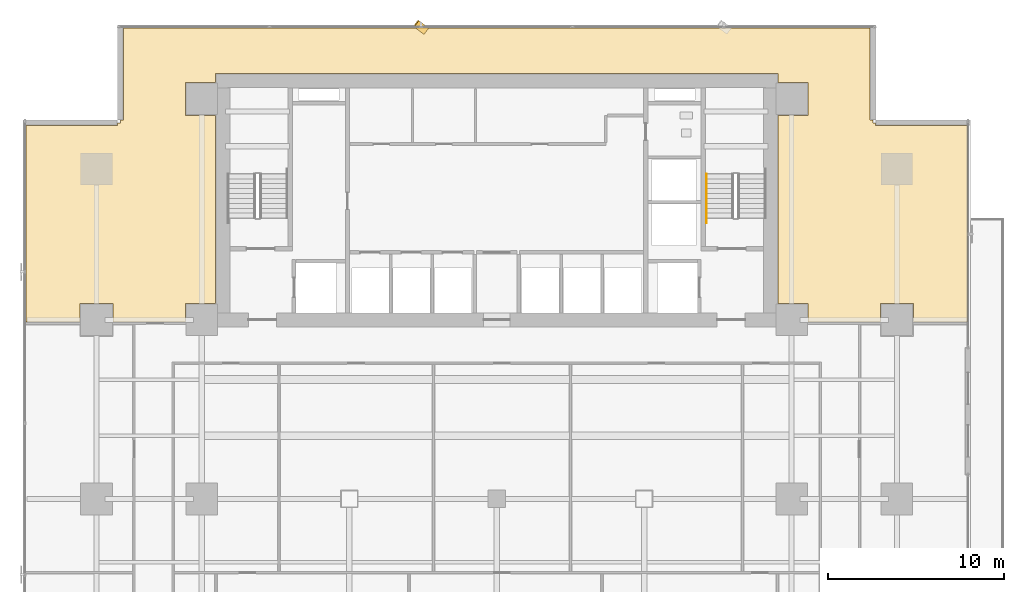
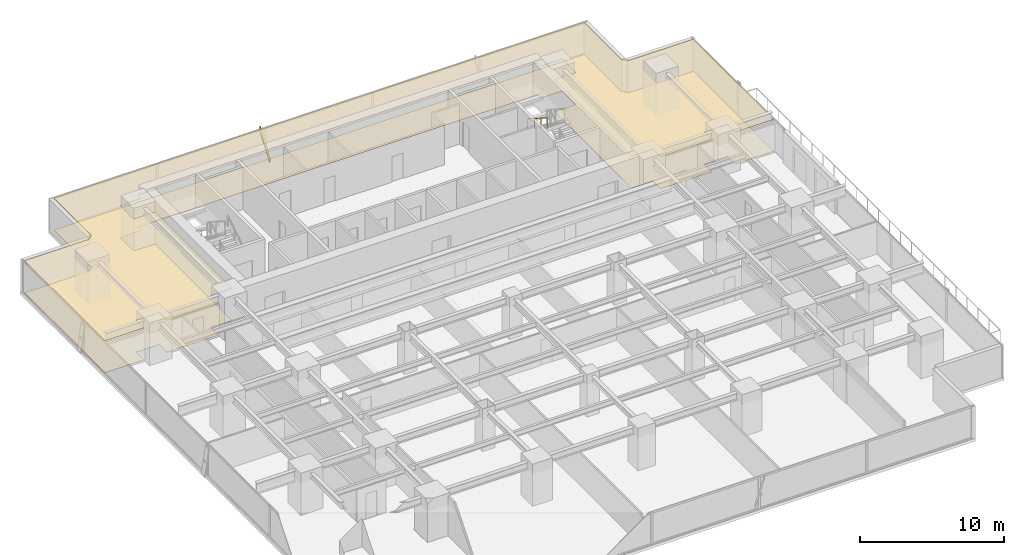
# One storey, part 31 of 33: 2 coverings, 1 railing, 1 shading device.
"""IFC4 building model written with IfcOpenShell, lengths in metres."""

from ifc_helpers import new_model, si_unit, direction, frame, origin, origin_2d, place, context, subcontext, project, spatial, polyline, rectangle, outline, extrude, source, transform, mapped, material, layer, layer_set, material_profile, profile_set, type_object, element, save


model = new_model("IFC4")

# Units and contexts
model_context = context("Model", 3, precision=1e-05, world=origin(), true_north=direction((0.0, 1.0)))
body_context = subcontext(model_context, "Body", "Model", "MODEL_VIEW")
ifc_project = project(units=[si_unit("LENGTHUNIT", "METRE"), si_unit("AREAUNIT", "SQUARE_METRE"), si_unit("VOLUMEUNIT", "CUBIC_METRE"), si_unit("PLANEANGLEUNIT", "RADIAN"), si_unit("MASSUNIT", "GRAM", prefix="KILO")], contexts=[model_context])

# Site, building, storey
site_placement = place(None, origin())
site = spatial("IfcSite", under=ifc_project, at=site_placement, CompositionType="ELEMENT")
building_placement = place(site_placement, origin())
building = spatial("IfcBuilding", under=site, at=building_placement, Name="Sumidabori Civic Tower", CompositionType="ELEMENT")
storey_placement = place(building_placement, frame((0.0, 0.0, 23.60009765625)))
storey = spatial("IfcBuildingStorey", under=building, at=storey_placement, Name="L05", CompositionType="ELEMENT", Elevation=23.60009765625)

# Coverings
ifc_material_1 = material(Name="Acoustic Mineral Gypsum Ceiling Tile")
ifc_layer_1 = layer(ifc_material_1, 0.034912109375, Name="Acoustic Mineral Gypsum Ceiling Tile")
ifc_layer_set_1 = layer_set([ifc_layer_1], Name="Acoustic Mineral Gypsum Ceiling Tile")
covering_type_1 = type_object("IfcCoveringType", Name="CV-CEIL-AC1", PredefinedType="CEILING", material=ifc_layer_set_1)
covering_1_placement = place(storey_placement, frame((0.0, 0.0, 2.7099609375)))
element("IfcCovering", 1, at=covering_1_placement, inside=storey, type_object=covering_type_1, Name="Room Acoustic Ceiling L05-01", PredefinedType="CEILING", context=body_context, shape_type="SweptSolid", body=[
    extrude(outline(polyline([(-21.860107421875, 11.139892578125), (-23.739990234375, 11.139892578125), (-23.739990234375, 10.080078125), (-26.830078125, 10.080078125), (-26.830078125, 21.27197265625), (-21.592041015625, 21.27197265625), (-21.592041015625, 21.429931640625), (-21.429931640625, 21.429931640625), (-21.429931640625, 21.592041015625), (-21.27197265625, 21.592041015625), (-21.27197265625, 26.830078125), (21.27197265625, 26.830078125), (21.27197265625, 21.592041015625), (21.429931640625, 21.592041015625), (21.429931640625, 21.429931640625), (21.592041015625, 21.429931640625), (21.592041015625, 21.27197265625), (26.830078125, 21.27197265625), (26.830078125, 10.080078125), (23.739990234375, 10.080078125), (23.739990234375, 11.139892578125), (21.860107421875, 11.139892578125), (21.860107421875, 10.080078125), (20.739990234375, 10.080078125), (20.739990234375, 10.090087890625), (17.739990234375, 10.090087890625), (17.739990234375, 11.139892578125), (16.028076171875, 11.139892578125), (16.028076171875, 21.860107421875), (17.739990234375, 21.860107421875), (17.739990234375, 23.739990234375), (16.028076171875, 23.739990234375), (16.028076171875, 24.22802734375), (-16.028076171875, 24.22802734375), (-16.028076171875, 23.739990234375), (-17.739990234375, 23.739990234375), (-17.739990234375, 21.860107421875), (-16.028076171875, 21.860107421875), (-16.028076171875, 11.139892578125), (-17.739990234375, 11.139892578125), (-17.739990234375, 10.090087890625), (-20.739990234375, 10.090087890625), (-20.739990234375, 10.080078125), (-21.860107421875, 10.080078125), (-21.860107421875, 11.139892578125)])), origin(), (0.0, 0.0, 1.0), 0.034912109375),
])
ifc_material_2 = material(Name="Honed Terrazzo Tile Flooring")
ifc_layer_2 = layer(ifc_material_2, 0.030029296875, Name="Honed Terrazzo Tile Flooring")
ifc_layer_set_2 = layer_set([ifc_layer_2], Name="Honed Terrazzo Tile Flooring")
covering_type_2 = type_object("IfcCoveringType", Name="CV-FLR-TER", PredefinedType="FLOORING", material=ifc_layer_set_2)
covering_2_placement = place(storey_placement, origin())
element("IfcCovering", 2, at=covering_2_placement, inside=storey, type_object=covering_type_2, Name="Room Terrazzo Floor L05-01", PredefinedType="FLOORING", context=body_context, shape_type="SweptSolid", body=[
    extrude(outline(polyline([(-21.860107421875, 11.139892578125), (-23.739990234375, 11.139892578125), (-23.739990234375, 10.080078125), (-26.830078125, 10.080078125), (-26.830078125, 21.27197265625), (-21.592041015625, 21.27197265625), (-21.592041015625, 21.429931640625), (-21.429931640625, 21.429931640625), (-21.429931640625, 21.592041015625), (-21.27197265625, 21.592041015625), (-21.27197265625, 26.830078125), (21.27197265625, 26.830078125), (21.27197265625, 21.592041015625), (21.429931640625, 21.592041015625), (21.429931640625, 21.429931640625), (21.592041015625, 21.429931640625), (21.592041015625, 21.27197265625), (26.830078125, 21.27197265625), (26.830078125, 10.080078125), (23.739990234375, 10.080078125), (23.739990234375, 11.139892578125), (21.860107421875, 11.139892578125), (21.860107421875, 10.080078125), (20.739990234375, 10.080078125), (20.739990234375, 10.090087890625), (17.739990234375, 10.090087890625), (17.739990234375, 11.139892578125), (16.028076171875, 11.139892578125), (16.028076171875, 21.860107421875), (17.739990234375, 21.860107421875), (17.739990234375, 23.739990234375), (16.028076171875, 23.739990234375), (16.028076171875, 24.22802734375), (-16.028076171875, 24.22802734375), (-16.028076171875, 23.739990234375), (-17.739990234375, 23.739990234375), (-17.739990234375, 21.860107421875), (-16.028076171875, 21.860107421875), (-16.028076171875, 11.139892578125), (-17.739990234375, 11.139892578125), (-17.739990234375, 10.090087890625), (-20.739990234375, 10.090087890625), (-20.739990234375, 10.080078125), (-21.860107421875, 10.080078125), (-21.860107421875, 11.139892578125)])), origin(), (0.0, 0.0, 1.0), 0.02978515625),
])

# Railing
ifc_material_3 = material(Name="Stainless Steel Hairline Finish", Category="steel")
railing_type = type_object("IfcRailingType", Name="RL-HANDRAIL", PredefinedType="HANDRAIL", material=ifc_material_3)
railing_placement = place(storey_placement, frame((11.949951171875, 18.52001953125, 1.97998046875)))
element("IfcRailing", 3, at=railing_placement, inside=storey, type_object=railing_type, Name="L05 ST-2 stair handrail 2", PredefinedType="HANDRAIL", context=body_context, shape_type="SweptSolid", body=[
    extrude(rectangle(XDim=0.048095703125, YDim=0.048095703125, at=origin_2d()), frame((0.0, 0.0, 0.8759765625), z_axis=(0.0, -0.840675598268, 0.541539046124), x_axis=(1.0, 0.0, 0.0)), (0.0, 0.0, 1.0), 3.330810546875),
    extrude(rectangle(XDim=0.0419921875, YDim=0.0419921875, at=origin_2d()), origin(), (0.0, 0.0, 1.0), 0.851806640625),
    extrude(rectangle(XDim=0.0419921875, YDim=0.0419921875, at=origin_2d()), frame((0.0, -0.933349609375, 0.601318359375)), (0.0, 0.0, 1.0), 0.851806640625),
    extrude(rectangle(XDim=0.0419921875, YDim=0.0419921875, at=origin_2d()), frame((0.0, -1.86669921875, 1.202392578125)), (0.0, 0.0, 1.0), 0.851806640625),
    extrude(rectangle(XDim=0.0419921875, YDim=0.0419921875, at=origin_2d()), frame((0.0, -2.800048828125, 1.8037109375)), (0.0, 0.0, 1.0), 0.851806640625),
])

# Shading device
ifc_material_4 = material(Name="Anodised Bronze Aluminium AW-6063-T6", Category="aluminium")
ifc_material_profile = material_profile(ifc_material_4, rectangle(XDim=0.06005859375, YDim=0.449951171875, at=origin_2d()), Name="BRONZE FIN 450x60")
ifc_profile_set = profile_set([ifc_material_profile], Name="Anodised Bronze Aluminium AW-6063-T6")
shading_device_type = type_object("IfcShadingDeviceType", Name="SH-FIN-450", PredefinedType="USERDEFINED", material=ifc_profile_set)
shared_shape = source(origin(), body_context, "Body", "SweptSolid", [
    extrude(rectangle(XDim=0.06005859375, YDim=0.449951171875, at=origin_2d()), origin(), (0.0, 0.0, 1.0), 2.769775390625),
])
shading_device_placement = place(storey_placement, frame((-4.033935546875, 26.669921875, 0.02001953125), z_axis=(-0.202195931323, 0.151691019096, 0.967526041035), x_axis=(0.773939855131, -0.580623579198, 0.252771358975)))
element("IfcShadingDevice", 4, at=shading_device_placement, inside=storey, type_object=shading_device_type, Name="Bronze Anodised Diagonal Fin L05-03", ObjectType="FIN", PredefinedType="USERDEFINED", context=body_context, shape_type="MappedRepresentation", body=[
    mapped(shared_shape, transform((0.0, 0.0, 0.0), x_axis=(1.0, 0.0, 0.0), y_axis=(0.0, 1.0, 0.0), z_axis=(0.0, 0.0, 1.0), scale=1.0)),
])

save(model, "model.ifc")
